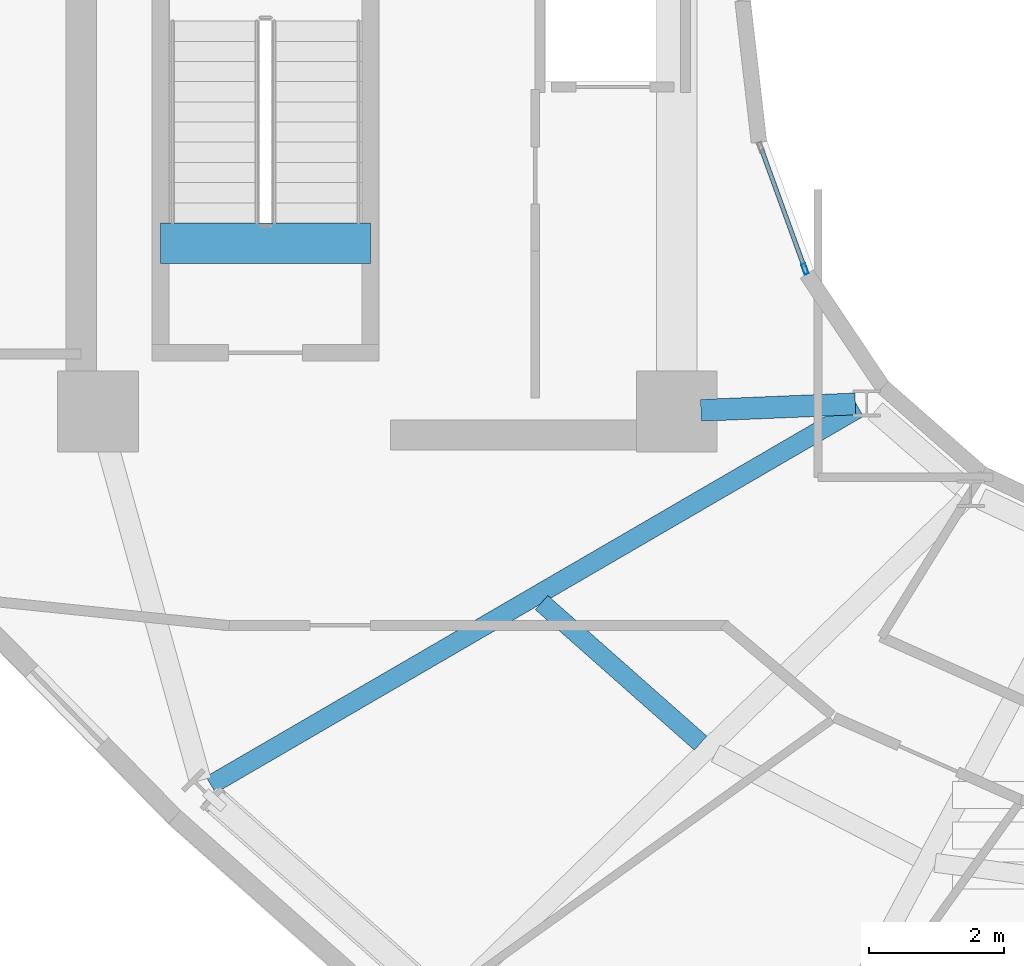
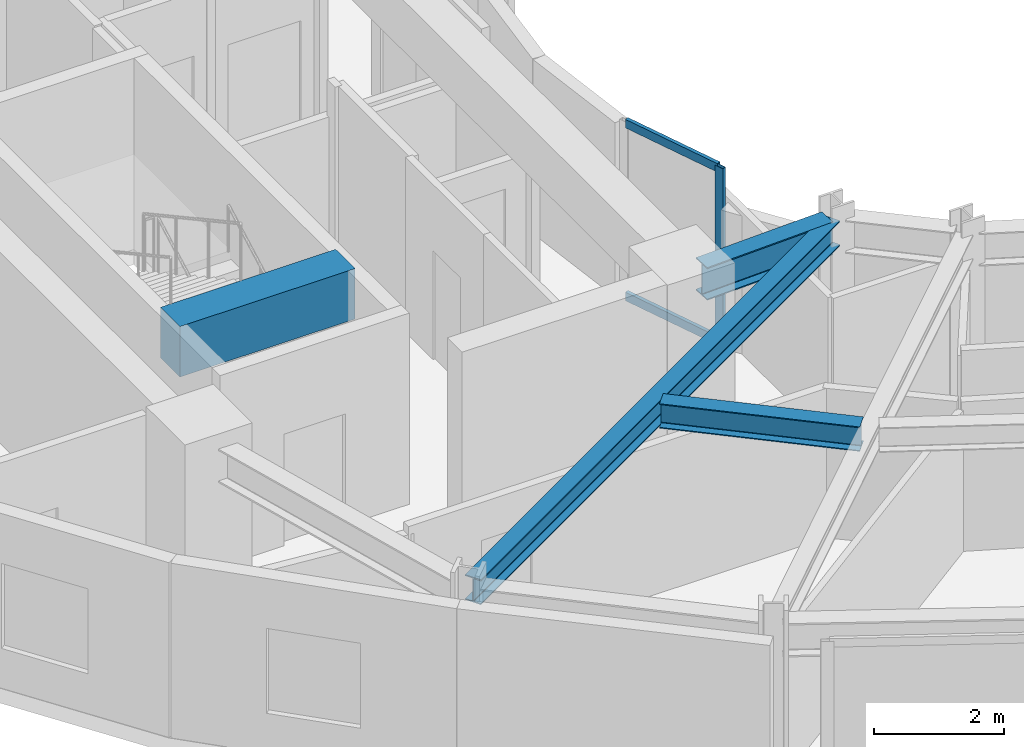
# One storey, part 3 of 24: 4 beams, 3 members, 1 element without a shape of its own.
"""IFC4 building model written with IfcOpenShell, lengths in metres."""

from ifc_helpers import new_model, si_unit, direction, frame, origin, origin_2d, place, context, subcontext, project, spatial, rectangle, hollow_rectangle, i_section, extrude, material, layer, layer_set, material_profile, profile_set, type_object, element, aggregate, save


model = new_model("IFC4")

# Units and contexts
model_context = context("Model", 3, precision=1e-05, world=origin(), true_north=direction((0.0, 1.0)))
body_context = subcontext(model_context, "Body", "Model", "MODEL_VIEW")
ifc_project = project(units=[si_unit("LENGTHUNIT", "METRE"), si_unit("AREAUNIT", "SQUARE_METRE"), si_unit("VOLUMEUNIT", "CUBIC_METRE"), si_unit("PLANEANGLEUNIT", "RADIAN"), si_unit("MASSUNIT", "GRAM", prefix="KILO")], contexts=[model_context])

# Site, building, storey
site_placement = place(None, origin())
site = spatial("IfcSite", under=ifc_project, at=site_placement, CompositionType="ELEMENT")
building_placement = place(site_placement, origin())
building = spatial("IfcBuilding", under=site, at=building_placement, Name="Solvane Sanctuary Tower", CompositionType="ELEMENT")
storey_placement = place(building_placement, frame((0.0, 0.0, 253.199951171875)))
storey = spatial("IfcBuildingStorey", under=building, at=storey_placement, Name="L77", CompositionType="ELEMENT", Elevation=253.199951171875)

# Beams
ifc_material_1 = material(Name="Concrete C70/85", Category="concrete")
ifc_material_profile_1 = material_profile(ifc_material_1, rectangle(XDim=0.60009765625, YDim=0.949951171875, at=origin_2d()), Name="RC600X950")
ifc_profile_set_1 = profile_set([ifc_material_profile_1], Name="Concrete C70/85")
beam_type_1 = type_object("IfcBeamType", Name="Beam B-COUPLE RC600X950", PredefinedType="LINTEL", material=ifc_profile_set_1)
beam_1_placement = place(storey_placement, frame((16.22998046875, 19.399169921875, 3.125), z_axis=(1.0, 0.0, 0.0), x_axis=(0.0, 1.0, 0.0)))
element("IfcBeam", 1, at=beam_1_placement, inside=storey, type_object=beam_type_1, Name="L77 ST-1 Stair Floor Landing Trimmer", PredefinedType="LINTEL", context=body_context, shape_type="SweptSolid", body=[
    extrude(rectangle(XDim=0.60009765625, YDim=0.949951171875, at=origin_2d()), origin(), (0.0, 0.0, 1.0), 3.1201171875),
])
ifc_material_2 = material(Name="Steel ASTM A992 Grade 50", Category="steel")
ifc_material_profile_2 = material_profile(ifc_material_2, i_section(OverallWidth=0.282958984375, OverallDepth=0.471923828125, WebThickness=0.013671875, FlangeThickness=0.022216796875, FilletRadius=0.013916015625, at=origin_2d()), Name="W18X97")
ifc_profile_set_2 = profile_set([ifc_material_profile_2], Name="Steel ASTM A992 Grade 50")
beam_type_2 = type_object("IfcBeamType", Name="Beam B-RAD-Z4 W18X97", PredefinedType="JOIST", material=ifc_profile_set_2)
beam_2_placement = place(storey_placement, frame((26.60400390625, 16.947509765625, 3.08203125), z_axis=(-0.864496775109, -0.502638364857, 0.0), x_axis=(0.502638364857, -0.864496775109, 0.0)))
element("IfcBeam", 2, at=beam_2_placement, inside=storey, type_object=beam_type_2, Name="L77 Radial Composite Floor Beam 08", PredefinedType="JOIST", context=body_context, shape_type="SweptSolid", body=[
    extrude(i_section(OverallWidth=0.282958984375, OverallDepth=0.471923828125, WebThickness=0.013671875, FlangeThickness=0.022216796875, FilletRadius=0.013916015625, at=origin_2d()), origin(), (0.0, 0.0, 1.0), 11.136962890625),
])
ifc_material_profile_3 = material_profile(ifc_material_2, i_section(OverallWidth=0.324951171875, OverallDepth=0.615966796875, WebThickness=0.013916015625, FlangeThickness=0.021484375, FilletRadius=0.01611328125, at=origin_2d()), Name="W24X117")
ifc_profile_set_3 = profile_set([ifc_material_profile_3], Name="Steel ASTM A992 Grade 50")
beam_type_3 = type_object("IfcBeamType", Name="Beam B-RING-IN2 W24X117", PredefinedType="BEAM", material=ifc_profile_set_3)
beam_3_placement = place(storey_placement, frame((24.259765625, 16.9150390625, 3.010009765625), z_axis=(0.9991319677, 0.04165706566, 0.0), x_axis=(-0.04165706566, 0.9991319677, 0.0)))
element("IfcBeam", 3, at=beam_3_placement, inside=storey, type_object=beam_type_3, Name="L77 Inner Light-Well Ring Beam CW2-IC08", PredefinedType="BEAM", context=body_context, shape_type="SweptSolid", body=[
    extrude(i_section(OverallWidth=0.324951171875, OverallDepth=0.615966796875, WebThickness=0.013916015625, FlangeThickness=0.021484375, FilletRadius=0.01611328125, at=origin_2d()), origin(), (0.0, 0.0, 1.0), 2.29736328125),
])
ifc_material_profile_4 = material_profile(ifc_material_2, i_section(OverallWidth=0.280029296875, OverallDepth=0.462890625, WebThickness=0.0107421875, FlangeThickness=0.017333984375, FilletRadius=0.013916015625, at=origin_2d()), Name="W18X76")
ifc_profile_set_4 = profile_set([ifc_material_profile_4], Name="Steel ASTM A992 Grade 50")
beam_type_4 = type_object("IfcBeamType", Name="Beam B-SEC-JOIST W18X76", PredefinedType="JOIST", material=ifc_profile_set_4)
beam_4_placement = place(storey_placement, frame((21.892333984375, 14.05810546875, 3.086669921875), z_axis=(0.749354102876, -0.662169486236, 0.0), x_axis=(0.662169486236, 0.749354102876, 0.0)))
element("IfcBeam", 4, at=beam_4_placement, inside=storey, type_object=beam_type_4, Name="L77 Secondary Circumferential Joist 08-09", PredefinedType="JOIST", context=body_context, shape_type="SweptSolid", body=[
    extrude(i_section(OverallWidth=0.280029296875, OverallDepth=0.462890625, WebThickness=0.0107421875, FlangeThickness=0.017333984375, FilletRadius=0.013916015625, at=origin_2d()), origin(), (0.0, 0.0, 1.0), 3.153076171875),
])

# Curtain wall, members
ifc_material_3 = material(Name="Anodised Aluminium 6063-T6", Category="aluminium")
ifc_layer = layer(ifc_material_3, 0.199951171875, Name="Anodised Aluminium 6063-T6")
ifc_layer_set = layer_set([ifc_layer], Name="Anodised Aluminium 6063-T6")
curtain_wall_type = type_object("IfcCurtainWallType", Name="Curtain Wall CW-WELL", PredefinedType="NOTDEFINED", material=ifc_layer_set)
curtain_wall_placement = place(storey_placement, origin())
curtain_wall = element("IfcCurtainWall", 5, at=curtain_wall_placement, inside=storey, type_object=curtain_wall_type, Name="L77 Light-Well Glazed Curtain Wall 13", PredefinedType="NOTDEFINED")
ifc_material_profile_5 = material_profile(ifc_material_3, hollow_rectangle(XDim=0.06494140625, YDim=0.159912109375, WallThickness=0.00341796875, at=origin_2d()), Name="ALU160X65X3.5")
ifc_profile_set_5 = profile_set([ifc_material_profile_5], Name="Anodised Aluminium 6063-T6")
member_type_1 = type_object("IfcMemberType", Name="Member M-CW-MUL-2 ALU160X65X3.5", PredefinedType="MULLION", material=ifc_profile_set_5)
member_1_placement = place(storey_placement, frame((25.8056640625, 19.017578125, 0.0), z_axis=(0.0, 0.0, 1.0), x_axis=(0.939933181429, 0.341358483781, 0.0)))
member_1 = element("IfcMember", 6, at=member_1_placement, type_object=member_type_1, Name="CW-WELL mullion 2", PredefinedType="MULLION", context=body_context, shape_type="SweptSolid", body=[
    extrude(hollow_rectangle(XDim=0.06494140625, YDim=0.159912109375, WallThickness=0.00341796875, at=origin_2d()), origin(), (0.0, 0.0, 1.0), 3.320068359375),
])
ifc_material_profile_6 = material_profile(ifc_material_3, hollow_rectangle(XDim=0.06494140625, YDim=0.159912109375, WallThickness=0.00341796875, at=origin_2d()), Name="ALU160X65X3.5")
ifc_profile_set_6 = profile_set([ifc_material_profile_6], Name="Anodised Aluminium 6063-T6")
member_type_2 = type_object("IfcMemberType", Name="Member M-CW-TRN-1 ALU160X65X3.5", PredefinedType="USERDEFINED", material=ifc_profile_set_6)
member_2_placement = place(storey_placement, frame((25.161865234375, 20.790283203125, 0.032470703125), z_axis=(0.341404620561, -0.939916424508, 0.0), x_axis=(0.939916424508, 0.341404620561, 0.0)))
member_2 = element("IfcMember", 7, at=member_2_placement, type_object=member_type_2, Name="CW-WELL transom 1.1", ObjectType="TRANSOM", PredefinedType="USERDEFINED", context=body_context, shape_type="SweptSolid", body=[
    extrude(hollow_rectangle(XDim=0.06494140625, YDim=0.159912109375, WallThickness=0.00341796875, at=origin_2d()), origin(), (0.0, 0.0, 1.0), 1.853515625),
])
member_3_placement = place(storey_placement, frame((25.161865234375, 20.790283203125, 3.28759765625), z_axis=(0.341404620561, -0.939916424508, 0.0), x_axis=(0.939916424508, 0.341404620561, 0.0)))
member_3 = element("IfcMember", 8, at=member_3_placement, type_object=member_type_2, Name="CW-WELL transom 1.2", ObjectType="TRANSOM", PredefinedType="USERDEFINED", context=body_context, shape_type="SweptSolid", body=[
    extrude(hollow_rectangle(XDim=0.06494140625, YDim=0.159912109375, WallThickness=0.00341796875, at=origin_2d()), origin(), (0.0, 0.0, 1.0), 1.853515625),
])
aggregate(curtain_wall, [member_1, member_2, member_3])

save(model, "model.ifc")
